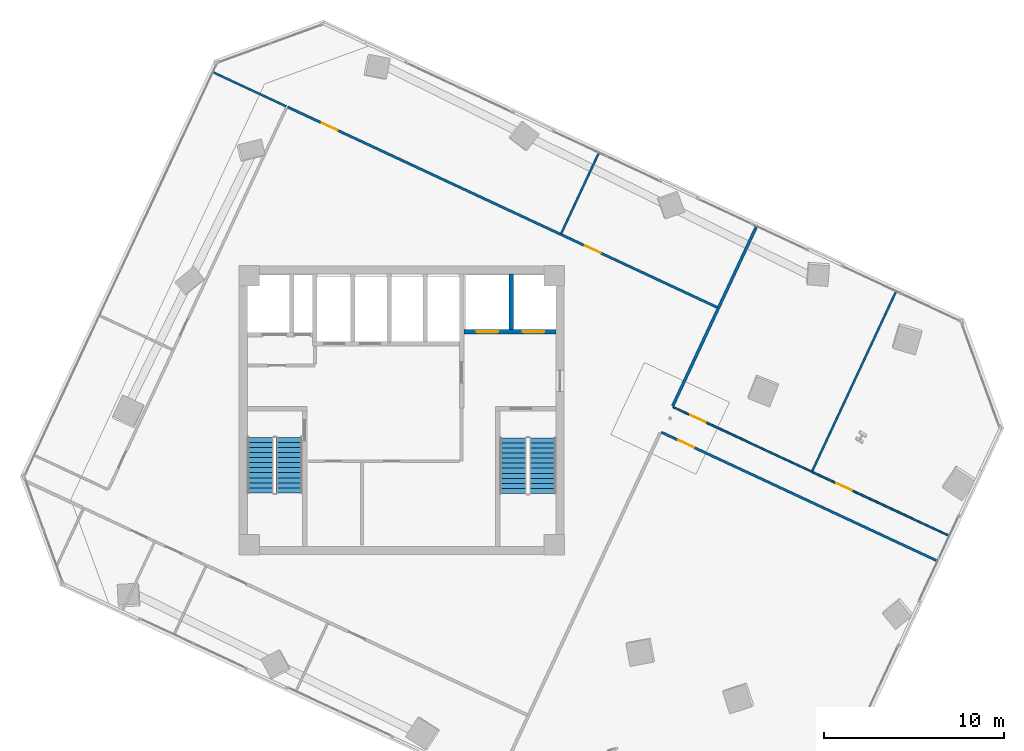
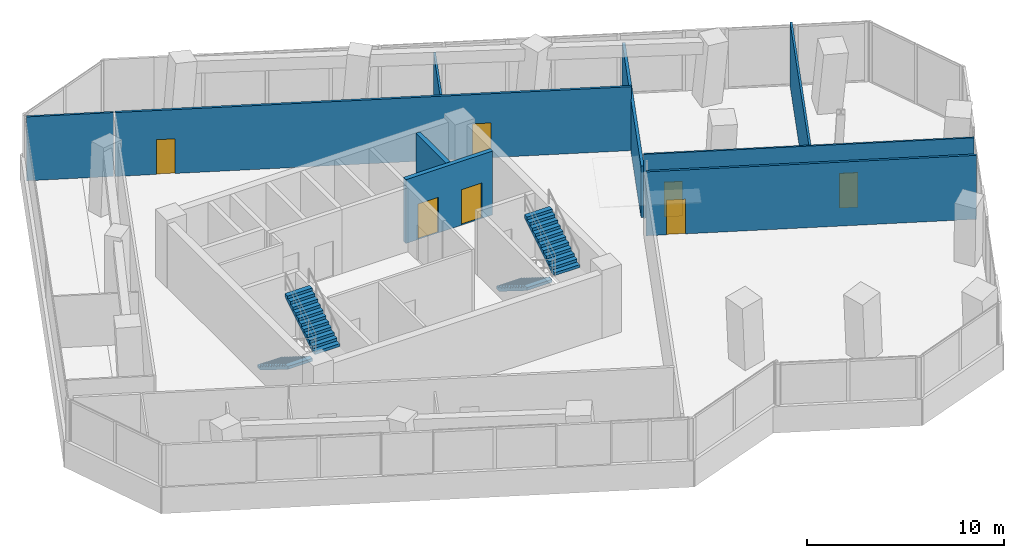
# One storey, part 18 of 23: 9 walls, 7 doors, 4 stair flights, 7 openings, 2 elements without a shape of their own.
"""IFC4 building model written with IfcOpenShell, lengths in metres."""

from ifc_helpers import new_model, si_unit, direction, frame, frame_2d, origin, place, context, subcontext, project, spatial, polyline, rectangle, outline, extrude, source, transform, mapped, material, layer, layer_set, type_object, element, fill, aggregate, save


model = new_model("IFC4")

# Units and contexts
model_context = context("Model", 3, precision=1e-05, world=origin(), true_north=direction((0.0, 1.0)))
body_context = subcontext(model_context, "Body", "Model", "MODEL_VIEW")
ifc_project = project(units=[si_unit("LENGTHUNIT", "METRE"), si_unit("AREAUNIT", "SQUARE_METRE"), si_unit("VOLUMEUNIT", "CUBIC_METRE"), si_unit("PLANEANGLEUNIT", "RADIAN"), si_unit("MASSUNIT", "GRAM", prefix="KILO")], contexts=[model_context])

# Site, building, storey
site_placement = place(None, origin())
site = spatial("IfcSite", under=ifc_project, at=site_placement, CompositionType="ELEMENT")
building_placement = place(site_placement, origin())
building = spatial("IfcBuilding", under=site, at=building_placement, Name="Torre Montelarca", CompositionType="ELEMENT")
storey_placement = place(building_placement, frame((0.0, 0.0, 158.199951171875)))
storey = spatial("IfcBuildingStorey", under=building, at=storey_placement, Name="L35", CompositionType="ELEMENT", Elevation=158.199951171875)

# Wall, openings, doors
ifc_material_1 = material(Name="Concrete C40/50", Category="concrete")
ifc_layer_1 = layer(ifc_material_1, 0.25, Name="Concrete C40/50", Category="concrete")
ifc_layer_set_1 = layer_set([ifc_layer_1], Name="Concrete C40/50")
wall_type_1 = type_object("IfcWallType", Name="CW-SHAFT-250", PredefinedType="SHEAR", material=ifc_layer_set_1)
wall_1_placement = place(storey_placement, frame((21.449951171875, 36.35009765625, 0.0), z_axis=(0.0, 0.0, 1.0), x_axis=(1.0, 0.0, 0.0)))
wall_1 = element("IfcWall", 1, at=wall_1_placement, inside=storey, type_object=wall_type_1, Name="L35 Core Shear Wall SH-FF-S", PredefinedType="SHEAR", context=body_context, shape_type="SweptSolid", body=[
    extrude(rectangle(XDim=5.090087890625, YDim=0.25, at=frame_2d((2.544921875, 0.0))), origin(), (0.0, 0.0, 1.0), 3.9599609375),
])
opening_1_placement = place(wall_1_placement, frame((0.699951171875, 0.0, 0.0)))
opening_1 = element("IfcOpeningElement", 2, at=opening_1_placement, cuts=wall_1, Name="Opening LD-120", PredefinedType="OPENING", context=body_context, shape_type="SweptSolid", body=[
    extrude(rectangle(XDim=1.199951171875, YDim=2.199951171875, at=frame_2d((0.60009765625, 1.10009765625))), frame((0.0, 0.135009765625, 0.0), z_axis=(0.0, -1.0, 0.0), x_axis=(1.0, 0.0, 0.0)), (0.0, 0.0, 1.0), 0.27001953125),
])
opening_2_placement = place(wall_1_placement, frame((3.25, 0.0, 0.0)))
opening_2 = element("IfcOpeningElement", 3, at=opening_2_placement, cuts=wall_1, Name="Opening LD-120", PredefinedType="OPENING", context=body_context, shape_type="SweptSolid", body=[
    extrude(rectangle(XDim=1.199951171875, YDim=2.199951171875, at=frame_2d((0.60009765625, 1.10009765625))), frame((0.0, 0.135009765625, 0.0), z_axis=(0.0, -1.0, 0.0), x_axis=(1.0, 0.0, 0.0)), (0.0, 0.0, 1.0), 0.27001953125),
])
ifc_material_2 = material(Name="Brushed stainless steel AISI 316", Category="steel")
door_type_1 = type_object("IfcDoorType", Name="DR-LIFT-120", OperationType="SLIDING_TO_RIGHT", PredefinedType="DOOR", material=ifc_material_2)
shared_shape_1 = source(origin(), body_context, "Body", "SweptSolid", [
    extrude(rectangle(XDim=1.199951171875, YDim=2.199951171875, at=frame_2d((0.60009765625, 1.10009765625))), frame((0.0, 0.02490234375, 0.0), z_axis=(0.0, -1.0, 0.0), x_axis=(1.0, 0.0, 0.0)), (0.0, 0.0, 1.0), 0.050048828125),
])
door_1_placement = place(opening_1_placement, origin())
door_1 = element("IfcDoor", 4, at=door_1_placement, inside=storey, type_object=door_type_1, Name="L35 Lift Landing Sliding Door FF-1", OperationType="SLIDING_TO_LEFT", OverallHeight=2.199951171875, OverallWidth=1.199951171875, PredefinedType="DOOR", context=body_context, shape_type="MappedRepresentation", body=[
    mapped(shared_shape_1, transform((0.0, 0.0, 0.0), scale=1.0)),
])
fill(opening_1, door_1)
door_2_placement = place(opening_2_placement, origin())
door_2 = element("IfcDoor", 5, at=door_2_placement, inside=storey, type_object=door_type_1, Name="L35 Lift Landing Sliding Door FF-2", OperationType="SLIDING_TO_RIGHT", OverallHeight=2.199951171875, OverallWidth=1.199951171875, PredefinedType="DOOR", context=body_context, shape_type="MappedRepresentation", body=[
    mapped(shared_shape_1, transform((0.0, 0.0, 0.0), scale=1.0)),
])
fill(opening_2, door_2)

# Walls
wall_2_placement = place(storey_placement, frame((24.080078125, 36.47998046875, 0.0), z_axis=(0.0, 0.0, 1.0), x_axis=(0.0, 1.0, 0.0)))
element("IfcWall", 6, at=wall_2_placement, inside=storey, type_object=wall_type_1, Name="L35 Core Shear Wall SH-FF-M", PredefinedType="SHEAR", context=body_context, shape_type="SweptSolid", body=[
    extrude(rectangle(XDim=3.06005859375, YDim=0.25, at=frame_2d((1.530029296875, 0.0))), origin(), (0.0, 0.0, 1.0), 3.9599609375),
])
ifc_material_3 = material(Name="Gypsum plasterboard on steel stud", Category="steel")
ifc_layer_2 = layer(ifc_material_3, 0.159912109375, Name="Gypsum plasterboard on steel stud", Category="steel")
ifc_layer_set_2 = layer_set([ifc_layer_2], Name="Gypsum plasterboard on steel stud")
wall_type_2 = type_object("IfcWallType", Name="PW-FIRE-160", PredefinedType="PARTITIONING", material=ifc_layer_set_2)
wall_3_placement = place(storey_placement, frame((33.01806640625, 32.234130859375, 0.0), z_axis=(0.0, 0.0, 1.0), x_axis=(0.422624006235, 0.906305108313, 0.0)))
element("IfcWall", 7, at=wall_3_placement, inside=storey, type_object=wall_type_2, Name="L35 Interior Partition W-L35-ECN", PredefinedType="PARTITIONING", context=body_context, shape_type="SweptSolid", body=[
    extrude(rectangle(XDim=10.940185546875, YDim=0.159912109375, at=frame_2d((5.47021484375, 0.0))), origin(), (0.0, 0.0, 1.0), 3.195068359375),
])

# Wall, openings, doors
ifc_material_4 = material(Name="Acoustic laminated glass partition", Category="glass")
ifc_layer_3 = layer(ifc_material_4, 0.10009765625, Name="Acoustic laminated glass partition", Category="glass")
ifc_layer_set_3 = layer_set([ifc_layer_3], Name="Acoustic laminated glass partition")
wall_type_3 = type_object("IfcWallType", Name="PW-GLAZ-100", PredefinedType="PARTITIONING", material=ifc_layer_set_3)
wall_4_placement = place(storey_placement, frame((33.03759765625, 32.180908203125, 0.0), z_axis=(0.0, 0.0, 1.0), x_axis=(0.906309400931, -0.422614800716, 0.0)))
wall_4 = element("IfcWall", 8, at=wall_4_placement, inside=storey, type_object=wall_type_3, Name="L35 Interior Partition W-L35-NE-S", PredefinedType="PARTITIONING", context=body_context, shape_type="SweptSolid", body=[
    extrude(rectangle(XDim=16.839599609375, YDim=0.10009765625, at=frame_2d((8.419921875, 0.0))), origin(), (0.0, 0.0, 1.0), 3.9599609375),
])
opening_3_placement = place(wall_4_placement, frame((1.050048828125, 0.0, 0.0)))
opening_3 = element("IfcOpeningElement", 9, at=opening_3_placement, cuts=wall_4, Name="Opening ID-095", PredefinedType="OPENING", context=body_context, shape_type="SweptSolid", body=[
    extrude(rectangle(XDim=0.949951171875, YDim=2.14990234375, at=frame_2d((0.47509765625, 1.074951171875))), frame((0.0, 0.06005859375, 0.0), z_axis=(0.0, -1.0, 0.0), x_axis=(1.0, 0.0, 0.0)), (0.0, 0.0, 1.0), 0.1201171875),
])
opening_4_placement = place(wall_4_placement, frame((9.97998046875, 0.0, 0.0)))
opening_4 = element("IfcOpeningElement", 10, at=opening_4_placement, cuts=wall_4, Name="Opening ID-095", PredefinedType="OPENING", context=body_context, shape_type="SweptSolid", body=[
    extrude(rectangle(XDim=0.949951171875, YDim=2.14990234375, at=frame_2d((0.47509765625, 1.074951171875))), frame((0.0, 0.06005859375, 0.0), z_axis=(0.0, -1.0, 0.0), x_axis=(1.0, 0.0, 0.0)), (0.0, 0.0, 1.0), 0.1201171875),
])
ifc_material_5 = material(Name="Hardwood acoustic timber veneer", Category="wood")
door_type_2 = type_object("IfcDoorType", Name="DR-INT-095", OperationType="NOTDEFINED", PredefinedType="DOOR", material=ifc_material_5)
shared_shape_2 = source(origin(), body_context, "Body", "SweptSolid", [
    extrude(rectangle(XDim=0.949951171875, YDim=2.14990234375, at=frame_2d((0.47509765625, 1.074951171875))), frame((0.0, 0.02490234375, 0.0), z_axis=(0.0, -1.0, 0.0), x_axis=(1.0, 0.0, 0.0)), (0.0, 0.0, 1.0), 0.050048828125),
])
door_3_placement = place(opening_3_placement, origin())
door_3 = element("IfcDoor", 11, at=door_3_placement, inside=storey, type_object=door_type_2, Name="L35 Interior Door 12", OperationType="SINGLE_SWING_LEFT", OverallHeight=2.14990234375, OverallWidth=0.949951171875, PredefinedType="DOOR", context=body_context, shape_type="MappedRepresentation", body=[
    mapped(shared_shape_2, transform((0.0, 0.0, 0.0), scale=1.0)),
])
fill(opening_3, door_3)
door_4_placement = place(opening_4_placement, origin())
door_4 = element("IfcDoor", 12, at=door_4_placement, inside=storey, type_object=door_type_2, Name="L35 Interior Door 13", OperationType="SINGLE_SWING_RIGHT", OverallHeight=2.14990234375, OverallWidth=0.949951171875, PredefinedType="DOOR", context=body_context, shape_type="MappedRepresentation", body=[
    mapped(shared_shape_2, transform((0.0, 0.0, 0.0), scale=1.0)),
])
fill(opening_4, door_4)

# Walls
ifc_layer_4 = layer(ifc_material_3, 0.114990234375, Name="Gypsum plasterboard on steel stud", Category="steel")
ifc_layer_set_4 = layer_set([ifc_layer_4], Name="Gypsum plasterboard on steel stud")
wall_type_4 = type_object("IfcWallType", Name="PW-PART-115", PredefinedType="PARTITIONING", material=ifc_layer_set_4)
wall_5_placement = place(storey_placement, frame((26.833984375, 41.782470703125, 0.0), z_axis=(0.0, 0.0, 1.0), x_axis=(0.422631768009, 0.906301488838, 0.0)))
element("IfcWall", 13, at=wall_5_placement, inside=storey, type_object=wall_type_4, Name="L35 Interior Partition W-L35-NDIV-1", PredefinedType="PARTITIONING", context=body_context, shape_type="SweptSolid", body=[
    extrude(rectangle(XDim=4.899658203125, YDim=0.114990234375, at=frame_2d((2.44970703125, 0.0))), origin(), (0.0, 0.0, 1.0), 3.195068359375),
])
wall_6_placement = place(storey_placement, frame((7.585205078125, 50.714111328125, 0.0), z_axis=(0.0, 0.0, 1.0), x_axis=(0.906295742894, -0.422644089526, 0.0)))
element("IfcWall", 14, at=wall_6_placement, inside=storey, type_object=wall_type_4, Name="L35 Interior Partition W-L35-WWGN", PredefinedType="PARTITIONING", context=body_context, shape_type="SweptSolid", body=[
    extrude(rectangle(XDim=4.429931640625, YDim=0.114990234375, at=frame_2d((2.21484375, 0.0))), origin(), (0.0, 0.0, 1.0), 3.9599609375),
])
wall_7_placement = place(storey_placement, frame((40.748779296875, 28.62939453125, 0.0), z_axis=(0.0, 0.0, 1.0), x_axis=(0.422632554077, 0.906301122274, 0.0)))
element("IfcWall", 15, at=wall_7_placement, inside=storey, type_object=wall_type_4, Name="L35 Interior Partition W-L35-NEDIV-1", PredefinedType="PARTITIONING", context=body_context, shape_type="SweptSolid", body=[
    extrude(rectangle(XDim=10.93994140625, YDim=0.114990234375, at=frame_2d((5.469970703125, 0.0))), origin(), (0.0, 0.0, 1.0), 3.9599609375),
])

# Wall, openings, doors
ifc_layer_5 = layer(ifc_material_3, 0.135009765625, Name="Gypsum plasterboard on steel stud", Category="steel")
ifc_layer_set_5 = layer_set([ifc_layer_5], Name="Gypsum plasterboard on steel stud")
wall_type_5 = type_object("IfcWallType", Name="PW-PART-135", PredefinedType="PARTITIONING", material=ifc_layer_set_5)
wall_8_placement = place(storey_placement, frame((11.672607421875, 48.80810546875, 0.0), z_axis=(0.0, 0.0, 1.0), x_axis=(0.906307085664, -0.422619765836, 0.0)))
wall_8 = element("IfcWall", 16, at=wall_8_placement, inside=storey, type_object=wall_type_5, Name="L35 Interior Partition W-L35-NBOT", PredefinedType="PARTITIONING", context=body_context, shape_type="SweptSolid", body=[
    extrude(rectangle(XDim=26.31005859375, YDim=0.135009765625, at=frame_2d((13.155029296875, 0.0))), origin(), (0.0, 0.0, 1.0), 3.9599609375),
])
opening_5_placement = place(wall_8_placement, frame((2.10009765625, 0.0, 0.0)))
opening_5 = element("IfcOpeningElement", 17, at=opening_5_placement, cuts=wall_8, Name="Opening ID-095", PredefinedType="OPENING", context=body_context, shape_type="SweptSolid", body=[
    extrude(rectangle(XDim=0.949951171875, YDim=2.14990234375, at=frame_2d((0.47509765625, 1.074951171875))), frame((0.0, 0.07763671875, 0.0), z_axis=(0.0, -1.0, 0.0), x_axis=(1.0, 0.0, 0.0)), (0.0, 0.0, 1.0), 0.155029296875),
])
opening_6_placement = place(wall_8_placement, frame((18.199951171875, 0.0, 0.0)))
opening_6 = element("IfcOpeningElement", 18, at=opening_6_placement, cuts=wall_8, Name="Opening ID-095", PredefinedType="OPENING", context=body_context, shape_type="SweptSolid", body=[
    extrude(rectangle(XDim=0.949951171875, YDim=2.14990234375, at=frame_2d((0.47509765625, 1.074951171875))), frame((0.0, 0.07763671875, 0.0), z_axis=(0.0, -1.0, 0.0), x_axis=(1.0, 0.0, 0.0)), (0.0, 0.0, 1.0), 0.155029296875),
])
door_5_placement = place(opening_5_placement, origin())
door_5 = element("IfcDoor", 19, at=door_5_placement, inside=storey, type_object=door_type_2, Name="L35 Interior Door 08", OperationType="SINGLE_SWING_LEFT", OverallHeight=2.14990234375, OverallWidth=0.949951171875, PredefinedType="DOOR", context=body_context, shape_type="MappedRepresentation", body=[
    mapped(shared_shape_2, transform((0.0, 0.0, 0.0), scale=1.0)),
])
fill(opening_5, door_5)
door_6_placement = place(opening_6_placement, origin())
door_6 = element("IfcDoor", 20, at=door_6_placement, inside=storey, type_object=door_type_2, Name="L35 Interior Door 09", OperationType="SINGLE_SWING_RIGHT", OverallHeight=2.14990234375, OverallWidth=0.949951171875, PredefinedType="DOOR", context=body_context, shape_type="MappedRepresentation", body=[
    mapped(shared_shape_2, transform((0.0, 0.0, 0.0), scale=1.0)),
])
fill(opening_6, door_6)

# Wall, opening, door
wall_9_placement = place(storey_placement, frame((32.38671875, 30.785400390625, 0.0), z_axis=(0.0, 0.0, 1.0), x_axis=(0.906303847891, -0.422626709163, 0.0)))
wall_9 = element("IfcWall", 21, at=wall_9_placement, inside=storey, type_object=wall_type_5, Name="L35 Interior Partition W-L35-SE-N", PredefinedType="PARTITIONING", context=body_context, shape_type="SweptSolid", body=[
    extrude(rectangle(XDim=16.83984375, YDim=0.135009765625, at=frame_2d((8.419921875, 0.0))), origin(), (0.0, 0.0, 1.0), 3.9599609375),
])
opening_7_placement = place(wall_9_placement, frame((1.050048828125, 0.0, 0.0)))
opening_7 = element("IfcOpeningElement", 22, at=opening_7_placement, cuts=wall_9, Name="Opening ID-095", PredefinedType="OPENING", context=body_context, shape_type="SweptSolid", body=[
    extrude(rectangle(XDim=0.949951171875, YDim=2.14990234375, at=frame_2d((0.47509765625, 1.074951171875))), frame((0.0, 0.07763671875, 0.0), z_axis=(0.0, -1.0, 0.0), x_axis=(1.0, 0.0, 0.0)), (0.0, 0.0, 1.0), 0.155029296875),
])
door_7_placement = place(opening_7_placement, origin())
door_7 = element("IfcDoor", 23, at=door_7_placement, inside=storey, type_object=door_type_2, Name="L35 Interior Door 14", OperationType="SINGLE_SWING_LEFT", OverallHeight=2.14990234375, OverallWidth=0.949951171875, PredefinedType="DOOR", context=body_context, shape_type="MappedRepresentation", body=[
    mapped(shared_shape_2, transform((0.0, 0.0, 0.0), scale=1.0)),
])
fill(opening_7, door_7)

# Stair, stair flights
stair_type_1 = type_object("IfcStairType", Name="ST-CORE-ST1", PredefinedType="HALF_TURN_STAIR", material=ifc_material_1)
stair_1_placement = place(storey_placement, origin())
stair_1 = element("IfcStair", 24, at=stair_1_placement, inside=storey, type_object=stair_type_1, Name="L35 Protected Exit Stair ST1", PredefinedType="HALF_TURN_STAIR")
stair_flight_type_1 = type_object("IfcStairFlightType", Name="SFL-CORE-ST1", PredefinedType="STRAIGHT", material=ifc_material_1)
stair_flight_1_placement = place(storey_placement, frame((10.175048828125, 30.5, 0.0), z_axis=(0.0, 0.0, 1.0), x_axis=(0.0, -1.0, 0.0)))
stair_flight_1 = element("IfcStairFlight", 25, at=stair_flight_1_placement, type_object=stair_flight_type_1, Name="ST1 flight 1", NumberOfRisers=12, NumberOfTreads=11, PredefinedType="STRAIGHT", RiserHeight=0.175, TreadLength=0.28, context=body_context, shape_type="SweptSolid", body=[
    extrude(outline(polyline([(0.0, 0.0), (0.0, 0.175048828125), (0.280029296875, 0.175048828125), (0.280029296875, 0.35009765625), (0.56005859375, 0.35009765625), (0.56005859375, 0.52490234375), (0.840087890625, 0.52490234375), (0.840087890625, 0.699951171875), (1.1201171875, 0.699951171875), (1.1201171875, 0.875), (1.39990234375, 0.875), (1.39990234375, 1.050048828125), (1.679931640625, 1.050048828125), (1.679931640625, 1.22509765625), (1.9599609375, 1.22509765625), (1.9599609375, 1.39990234375), (2.239990234375, 1.39990234375), (2.239990234375, 1.574951171875), (2.52001953125, 1.574951171875), (2.52001953125, 1.75), (2.800048828125, 1.75), (2.800048828125, 1.925048828125), (3.080078125, 1.925048828125), (3.080078125, 2.10009765625), (3.080078125, 1.748291015625), (0.28271484375, 0.0), (0.0, 0.0)])), frame((0.0, 0.72509765625, 0.0), z_axis=(0.0, -1.0, 0.0), x_axis=(1.0, 0.0, 0.0)), (0.0, 0.0, 1.0), 1.449951171875),
])
stair_flight_2_placement = place(storey_placement, frame((11.77490234375, 27.419921875, 2.10009765625), z_axis=(0.0, 0.0, 1.0), x_axis=(0.0, 1.0, 0.0)))
stair_flight_2 = element("IfcStairFlight", 26, at=stair_flight_2_placement, type_object=stair_flight_type_1, Name="ST1 flight 2", NumberOfRisers=12, NumberOfTreads=11, PredefinedType="STRAIGHT", RiserHeight=0.175, TreadLength=0.28, context=body_context, shape_type="SweptSolid", body=[
    extrude(outline(polyline([(0.0, 0.0), (0.0, 0.175048828125), (0.280029296875, 0.175048828125), (0.280029296875, 0.35009765625), (0.56005859375, 0.35009765625), (0.56005859375, 0.52490234375), (0.840087890625, 0.52490234375), (0.840087890625, 0.699951171875), (1.1201171875, 0.699951171875), (1.1201171875, 0.875), (1.39990234375, 0.875), (1.39990234375, 1.050048828125), (1.679931640625, 1.050048828125), (1.679931640625, 1.22509765625), (1.9599609375, 1.22509765625), (1.9599609375, 1.39990234375), (2.239990234375, 1.39990234375), (2.239990234375, 1.574951171875), (2.52001953125, 1.574951171875), (2.52001953125, 1.75), (2.800048828125, 1.75), (2.800048828125, 1.925048828125), (3.080078125, 1.925048828125), (3.080078125, 2.10009765625), (3.080078125, 1.748291015625), (0.28271484375, 0.0), (0.0, 0.0)])), frame((0.0, 0.72509765625, 0.0), z_axis=(0.0, -1.0, 0.0), x_axis=(1.0, 0.0, 0.0)), (0.0, 0.0, 1.0), 1.449951171875),
])
aggregate(stair_1, [stair_flight_1, stair_flight_2])

stair_type_2 = type_object("IfcStairType", Name="ST-CORE-ST2", PredefinedType="HALF_TURN_STAIR", material=ifc_material_1)
stair_2_placement = place(storey_placement, origin())
stair_2 = element("IfcStair", 27, at=stair_2_placement, inside=storey, type_object=stair_type_2, Name="L35 Protected Exit Stair ST2", PredefinedType="HALF_TURN_STAIR")
stair_flight_type_2 = type_object("IfcStairFlightType", Name="SFL-CORE-ST2", PredefinedType="STRAIGHT", material=ifc_material_1)
stair_flight_3_placement = place(storey_placement, frame((24.179931640625, 30.469970703125, 0.0), z_axis=(0.0, 0.0, 1.0), x_axis=(0.0, -1.0, 0.0)))
stair_flight_3 = element("IfcStairFlight", 28, at=stair_flight_3_placement, type_object=stair_flight_type_2, Name="ST2 flight 1", NumberOfRisers=12, NumberOfTreads=11, PredefinedType="STRAIGHT", RiserHeight=0.175, TreadLength=0.28, context=body_context, shape_type="SweptSolid", body=[
    extrude(outline(polyline([(0.0, 0.0), (0.0, 0.175048828125), (0.280029296875, 0.175048828125), (0.280029296875, 0.35009765625), (0.56005859375, 0.35009765625), (0.56005859375, 0.52490234375), (0.840087890625, 0.52490234375), (0.840087890625, 0.699951171875), (1.1201171875, 0.699951171875), (1.1201171875, 0.875), (1.39990234375, 0.875), (1.39990234375, 1.050048828125), (1.679931640625, 1.050048828125), (1.679931640625, 1.22509765625), (1.9599609375, 1.22509765625), (1.9599609375, 1.39990234375), (2.239990234375, 1.39990234375), (2.239990234375, 1.574951171875), (2.52001953125, 1.574951171875), (2.52001953125, 1.75), (2.800048828125, 1.75), (2.800048828125, 1.925048828125), (3.080078125, 1.925048828125), (3.080078125, 2.10009765625), (3.080078125, 1.748291015625), (0.28271484375, 0.0), (0.0, 0.0)])), frame((0.0, 0.739990234375, 0.0), z_axis=(0.0, -1.0, 0.0), x_axis=(1.0, 0.0, 0.0)), (0.0, 0.0, 1.0), 1.47998046875),
])
stair_flight_4_placement = place(storey_placement, frame((25.81005859375, 27.389892578125, 2.10009765625), z_axis=(0.0, 0.0, 1.0), x_axis=(0.0, 1.0, 0.0)))
stair_flight_4 = element("IfcStairFlight", 29, at=stair_flight_4_placement, type_object=stair_flight_type_2, Name="ST2 flight 2", NumberOfRisers=12, NumberOfTreads=11, PredefinedType="STRAIGHT", RiserHeight=0.175, TreadLength=0.28, context=body_context, shape_type="SweptSolid", body=[
    extrude(outline(polyline([(0.0, 0.0), (0.0, 0.175048828125), (0.280029296875, 0.175048828125), (0.280029296875, 0.35009765625), (0.56005859375, 0.35009765625), (0.56005859375, 0.52490234375), (0.840087890625, 0.52490234375), (0.840087890625, 0.699951171875), (1.1201171875, 0.699951171875), (1.1201171875, 0.875), (1.39990234375, 0.875), (1.39990234375, 1.050048828125), (1.679931640625, 1.050048828125), (1.679931640625, 1.22509765625), (1.9599609375, 1.22509765625), (1.9599609375, 1.39990234375), (2.239990234375, 1.39990234375), (2.239990234375, 1.574951171875), (2.52001953125, 1.574951171875), (2.52001953125, 1.75), (2.800048828125, 1.75), (2.800048828125, 1.925048828125), (3.080078125, 1.925048828125), (3.080078125, 2.10009765625), (3.080078125, 1.748291015625), (0.28271484375, 0.0), (0.0, 0.0)])), frame((0.0, 0.739990234375, 0.0), z_axis=(0.0, -1.0, 0.0), x_axis=(1.0, 0.0, 0.0)), (0.0, 0.0, 1.0), 1.47998046875),
])
aggregate(stair_2, [stair_flight_3, stair_flight_4])

save(model, "model.ifc")
